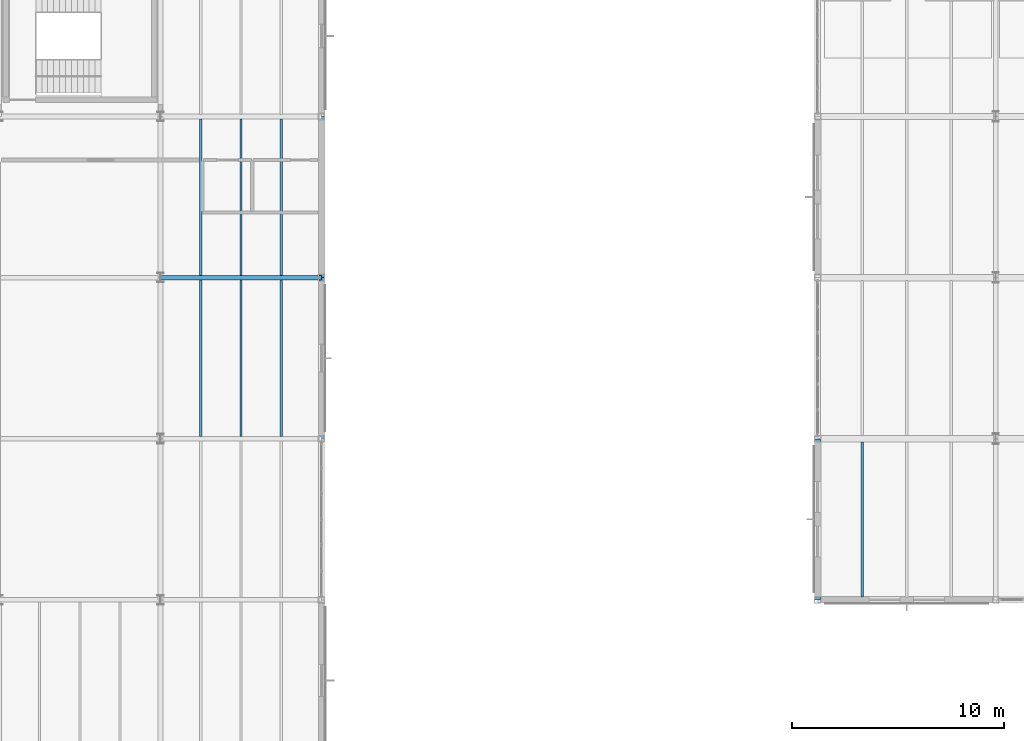
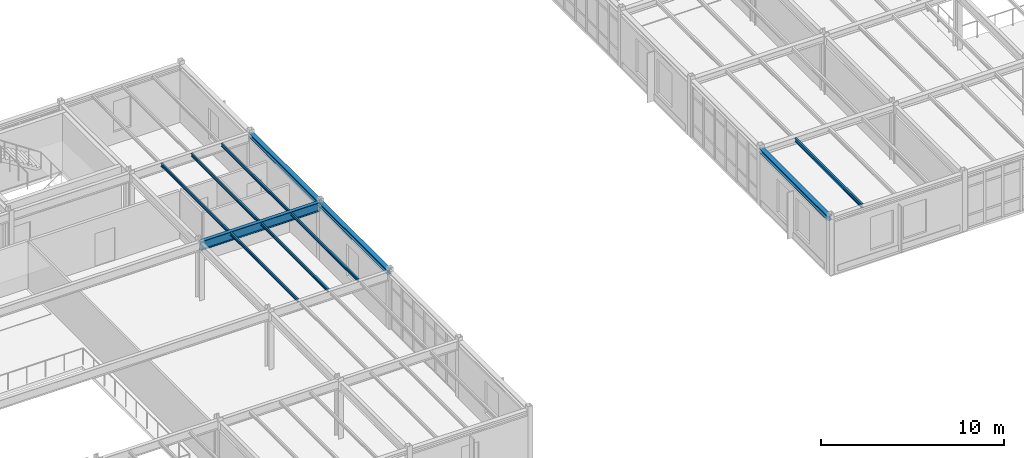
# One storey, part 72 of 165: 11 beams.
"""IFC4 building model written with IfcOpenShell, lengths in metres."""

from ifc_helpers import new_model, si_unit, direction, frame, origin, origin_2d, place, context, subcontext, project, spatial, i_section, extrude, material, material_profile, profile_set, type_object, element, save


model = new_model("IFC4")

# Units and contexts
model_context = context("Model", 3, precision=1e-05, world=origin(), true_north=direction((0.0, 1.0)))
body_context = subcontext(model_context, "Body", "Model", "MODEL_VIEW")
ifc_project = project(units=[si_unit("LENGTHUNIT", "METRE"), si_unit("AREAUNIT", "SQUARE_METRE"), si_unit("VOLUMEUNIT", "CUBIC_METRE"), si_unit("PLANEANGLEUNIT", "RADIAN"), si_unit("MASSUNIT", "GRAM", prefix="KILO")], contexts=[model_context])

# Site, building, storey
site_placement = place(None, origin())
site = spatial("IfcSite", under=ifc_project, at=site_placement, CompositionType="ELEMENT")
building_placement = place(site_placement, origin())
building = spatial("IfcBuilding", under=site, at=building_placement, Name="Montecoro Central Library", CompositionType="ELEMENT")
storey_placement = place(building_placement, frame((0.0, 0.0, 5.10009765625)))
storey = spatial("IfcBuildingStorey", under=building, at=storey_placement, Name="L01", CompositionType="ELEMENT", Elevation=5.10009765625)

# Beams
ifc_material_1 = material(Name="Steel S355J2", Category="steel")
ifc_material_profile_1 = material_profile(ifc_material_1, i_section(OverallWidth=0.219970703125, OverallDepth=0.60009765625, WebThickness=0.011962890625, FlangeThickness=0.01904296875, at=origin_2d()), Name="IPE 600")
ifc_profile_set_1 = profile_set([ifc_material_profile_1], Name="Steel S355J2")
beam_type_1 = type_object("IfcBeamType", Name="BM-G-IPE600", PredefinedType="USERDEFINED", material=ifc_profile_set_1)
beam_1_placement = place(storey_placement, frame((35.405029296875, 96.199951171875, 3.52490234375), z_axis=(1.0, 0.0, 0.0), x_axis=(0.0, 1.0, 0.0)))
element("IfcBeam", 1, at=beam_1_placement, inside=storey, type_object=beam_type_1, Name="V4-L01-BX-56-N", ObjectType="GIRDER", PredefinedType="USERDEFINED", context=body_context, shape_type="SweptSolid", body=[
    extrude(i_section(OverallWidth=0.219970703125, OverallDepth=0.60009765625, WebThickness=0.011962890625, FlangeThickness=0.01904296875, at=origin_2d()), origin(), (0.0, 0.0, 1.0), 7.590087890625),
])
ifc_material_2 = material(Name="Steel S355", Category="steel")
ifc_material_profile_2 = material_profile(ifc_material_2, i_section(OverallWidth=0.10009765625, OverallDepth=0.199951171875, WebThickness=0.005615234375, FlangeThickness=0.008544921875, at=origin_2d()), Name="IPE 200")
ifc_profile_set_2 = profile_set([ifc_material_profile_2], Name="Steel S355")
beam_type_2 = type_object("IfcBeamType", Name="BM-J-IPE200", PredefinedType="JOIST", material=ifc_profile_set_2)
for number, where, z_axis, x_axis, name in (
    (2, (37.300048828125, 88.70703125, 3.724853515625), (0.0, 1.0, 0.0), (-1.0, 0.0, 0.0), "V4-L01-JS-56-MN-1"),
    (3, (39.199951171875, 88.70703125, 3.724853515625), (0.0, 1.0, 0.0), (-1.0, 0.0, 0.0), "V4-L01-JS-56-MN-2"),
    (4, (41.10009765625, 88.70703125, 3.724853515625), (0.0, 1.0, 0.0), (-1.0, 0.0, 0.0), "V4-L01-JS-56-MN-3"),
):
    element("IfcBeam", number, at=place(storey_placement, frame(where, z_axis=z_axis, x_axis=x_axis)), inside=storey, type_object=beam_type_2, Name=name, PredefinedType="JOIST", context=body_context, shape_type="SweptSolid", body=[
        extrude(i_section(OverallWidth=0.10009765625, OverallDepth=0.199951171875, WebThickness=0.005615234375, FlangeThickness=0.008544921875, at=origin_2d()), origin(), (0.0, 0.0, 1.0), 7.385986328125),
    ])
for number, where, z_axis, x_axis, name in (
    (5, (37.300048828125, 96.306884765625, 3.724853515625), (0.0, 1.0, 0.0), (-1.0, 0.0, 0.0), "V4-L01-JS-56-NP-1"),
    (6, (39.199951171875, 96.306884765625, 3.724853515625), (0.0, 1.0, 0.0), (-1.0, 0.0, 0.0), "V4-L01-JS-56-NP-2"),
    (7, (41.10009765625, 96.306884765625, 3.724853515625), (0.0, 1.0, 0.0), (-1.0, 0.0, 0.0), "V4-L01-JS-56-NP-3"),
):
    element("IfcBeam", number, at=place(storey_placement, frame(where, z_axis=z_axis, x_axis=x_axis)), inside=storey, type_object=beam_type_2, Name=name, PredefinedType="JOIST", context=body_context, shape_type="SweptSolid", body=[
        extrude(i_section(OverallWidth=0.10009765625, OverallDepth=0.199951171875, WebThickness=0.005615234375, FlangeThickness=0.008544921875, at=origin_2d()), origin(), (0.0, 0.0, 1.0), 7.38623046875),
    ])
ifc_material_profile_3 = material_profile(ifc_material_2, i_section(OverallWidth=0.1201171875, OverallDepth=0.239990234375, WebThickness=0.006103515625, FlangeThickness=0.009765625, at=origin_2d()), Name="IPE 240")
ifc_profile_set_3 = profile_set([ifc_material_profile_3], Name="Steel S355")
beam_type_3 = type_object("IfcBeamType", Name="BM-J-IPE240", PredefinedType="JOIST", material=ifc_profile_set_3)
beam_2_placement = place(storey_placement, frame((68.5, 81.136962890625, 3.704833984375), z_axis=(0.0, 1.0, 0.0), x_axis=(-1.0, 0.0, 0.0)))
element("IfcBeam", 8, at=beam_2_placement, inside=storey, type_object=beam_type_3, Name="V2-L01-JS-910-LM-1", PredefinedType="JOIST", context=body_context, shape_type="SweptSolid", body=[
    extrude(i_section(OverallWidth=0.1201171875, OverallDepth=0.239990234375, WebThickness=0.006103515625, FlangeThickness=0.009765625, at=origin_2d()), origin(), (0.0, 0.0, 1.0), 7.31591796875),
])
ifc_material_profile_4 = material_profile(ifc_material_2, i_section(OverallWidth=0.280029296875, OverallDepth=0.27001953125, WebThickness=0.008056640625, FlangeThickness=0.012939453125, at=origin_2d()), Name="HEA 280")
ifc_profile_set_4 = profile_set([ifc_material_profile_4], Name="Steel S355")
beam_type_4 = type_object("IfcBeamType", Name="BM-SP-HEA280", PredefinedType="SPANDREL", material=ifc_profile_set_4)
for number, where, z_axis, x_axis, name in (
    (9, (66.39990234375, 81.0048828125, 3.68994140625), (0.0, 1.0, 0.0), (-1.0, 0.0, 0.0), "V2-L01-BY-9-LM"),
    (10, (43.0, 88.60498046875, 3.68994140625), (0.0, 1.0, 0.0), (-1.0, 0.0, 0.0), "V4-L01-BY-6-MN"),
):
    element("IfcBeam", number, at=place(storey_placement, frame(where, z_axis=z_axis, x_axis=x_axis)), inside=storey, type_object=beam_type_4, Name=name, PredefinedType="SPANDREL", context=body_context, shape_type="SweptSolid", body=[
        extrude(i_section(OverallWidth=0.280029296875, OverallDepth=0.27001953125, WebThickness=0.008056640625, FlangeThickness=0.012939453125, at=origin_2d()), origin(), (0.0, 0.0, 1.0), 7.590087890625),
    ])
beam_3_placement = place(storey_placement, frame((43.0, 96.205078125, 3.68994140625), z_axis=(0.0, 1.0, 0.0), x_axis=(-1.0, 0.0, 0.0)))
element("IfcBeam", 11, at=beam_3_placement, inside=storey, type_object=beam_type_4, Name="V4-L01-BY-6-NP", PredefinedType="SPANDREL", context=body_context, shape_type="SweptSolid", body=[
    extrude(i_section(OverallWidth=0.280029296875, OverallDepth=0.27001953125, WebThickness=0.008056640625, FlangeThickness=0.012939453125, at=origin_2d()), origin(), (0.0, 0.0, 1.0), 7.58984375),
])

save(model, "model.ifc")
